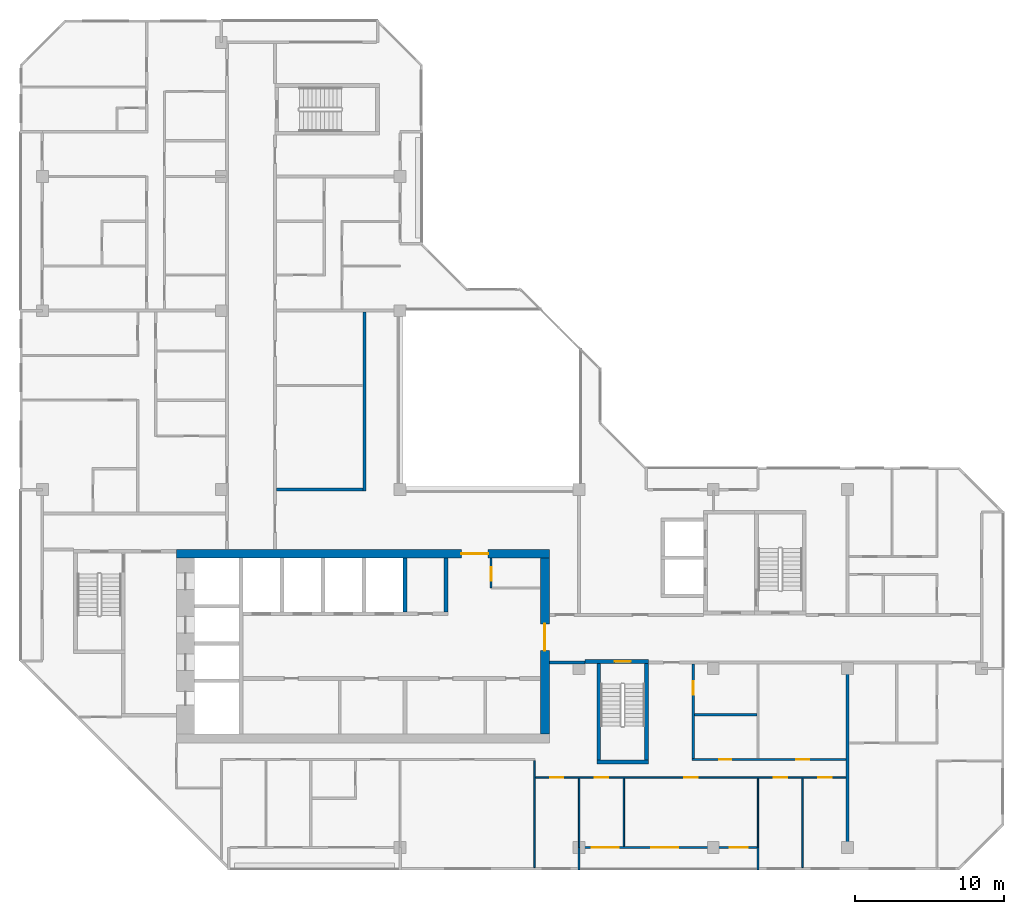
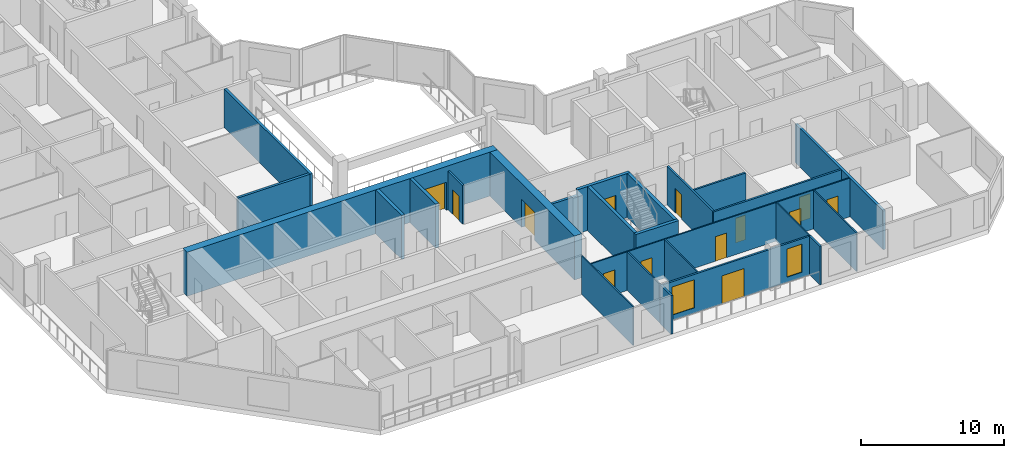
# One storey, part 6 of 13: 25 walls, 13 doors, 2 windows, 15 openings.
"""IFC4 building model written with IfcOpenShell, lengths in metres."""

from ifc_helpers import new_model, si_unit, direction, frame, frame_2d, origin, place, context, subcontext, project, spatial, rectangle, extrude, material, layer, layer_set, type_object, element, fill, save


model = new_model("IFC4")

# Units and contexts
model_context = context("Model", 3, precision=1e-05, world=origin(), true_north=direction((0.0, 1.0)))
body_context = subcontext(model_context, "Body", "Model", "MODEL_VIEW")
ifc_project = project(units=[si_unit("LENGTHUNIT", "METRE"), si_unit("AREAUNIT", "SQUARE_METRE"), si_unit("VOLUMEUNIT", "CUBIC_METRE"), si_unit("PLANEANGLEUNIT", "RADIAN"), si_unit("MASSUNIT", "GRAM", prefix="KILO")], contexts=[model_context])

# Site, building, storey
site_placement = place(None, origin())
site = spatial("IfcSite", under=ifc_project, at=site_placement, CompositionType="ELEMENT")
building_placement = place(site_placement, origin())
building = spatial("IfcBuilding", under=site, at=building_placement, Name="Chenar Terraces", CompositionType="ELEMENT")
storey_placement = place(building_placement, frame((0.0, 0.0, 318.39990234375)))
storey = spatial("IfcBuildingStorey", under=building, at=storey_placement, Name="L75", CompositionType="ELEMENT", Elevation=318.39990234375)

# Wall, opening, door
ifc_material_1 = material(Name="Gypsum board on steel studs", Category="steel")
ifc_layer_1 = layer(ifc_material_1, 0.14990234375)
ifc_layer_set_1 = layer_set([ifc_layer_1], Name="Gypsum board on steel studs")
wall_type_1 = type_object("IfcWallType", Name="Core partition 150 gypsum board", PredefinedType="PARTITIONING", material=ifc_layer_set_1)
wall_1_placement = place(storey_placement, frame((30.10009765625, 17.39990234375, 0.0), z_axis=(0.0, 0.0, 1.0), x_axis=(0.0, 1.0, 0.0)))
wall_1 = element("IfcWall", 1, at=wall_1_placement, inside=storey, type_object=wall_type_1, Name="Core partition CP1 vestibule room west wall", PredefinedType="PARTITIONING", context=body_context, shape_type="SweptSolid", body=[
    extrude(rectangle(XDim=2.0, YDim=0.14990234375, at=frame_2d((1.0, 0.0))), origin(), (0.0, 0.0, 1.0), 3.300048828125),
])
opening_1_placement = place(wall_1_placement, frame((0.5, 0.0, 0.0)))
opening_1 = element("IfcOpeningElement", 2, at=opening_1_placement, cuts=wall_1, Name="Opening DL75-C17", PredefinedType="OPENING", context=body_context, shape_type="SweptSolid", body=[
    extrude(rectangle(XDim=0.89990234375, YDim=2.10009765625, at=frame_2d((0.449951171875, 1.050048828125))), frame((0.0, 0.0849609375, 0.0), z_axis=(0.0, -1.0, 0.0), x_axis=(1.0, 0.0, 0.0)), (0.0, 0.0, 1.0), 0.169921875),
])
ifc_material_2 = material(Name="Steel-framed fire-resisting door leaf", Category="steel")
door_type_1 = type_object("IfcDoorType", Name="Riser fire door FD60 900 x 2100", OperationType="SINGLE_SWING_LEFT", PredefinedType="DOOR", material=ifc_material_2)
door_1_placement = place(opening_1_placement, frame((0.89990234375, 0.0, 0.0), z_axis=(0.0, 0.0, 1.0), x_axis=(-1.0, 0.0, 0.0)))
door_1 = element("IfcDoor", 3, at=door_1_placement, inside=storey, type_object=door_type_1, Name="Core room door DL75-C17", OperationType="SINGLE_SWING_RIGHT", OverallHeight=2.10009765625, OverallWidth=0.89990234375, PredefinedType="DOOR", context=body_context, shape_type="SweptSolid", body=[
    extrude(rectangle(XDim=0.89990234375, YDim=2.10009765625, at=frame_2d((0.449951171875, 1.050048828125))), frame((0.0, 0.02490234375, 0.0), z_axis=(0.0, -1.0, 0.0), x_axis=(1.0, 0.0, 0.0)), (0.0, 0.0, 1.0), 0.050048828125),
])
fill(opening_1, door_1)

# Walls
ifc_material_3 = material(Name="Concrete C50/60", Category="concrete")
ifc_layer_2 = layer(ifc_material_3, 0.25)
ifc_layer_set_2 = layer_set([ifc_layer_2], Name="Concrete C50/60")
wall_type_2 = type_object("IfcWallType", Name="Core wall 250 Concrete C50/60", PredefinedType="SHEAR", material=ifc_layer_set_2)
for number, where, z_axis, x_axis, name in (
    (4, (24.324951171875, 15.800048828125, 0.0), (0.0, 0.0, 1.0), (0.0, 1.0, 0.0), "Core wall NS3 L75"),
    (5, (27.074951171875, 15.800048828125, 0.0), (0.0, 0.0, 1.0), (0.0, 1.0, 0.0), "Core wall NE L75"),
):
    element("IfcWall", number, at=place(storey_placement, frame(where, z_axis=z_axis, x_axis=x_axis)), inside=storey, type_object=wall_type_2, Name=name, PredefinedType="SHEAR", context=body_context, shape_type="SweptSolid", body=[
        extrude(rectangle(XDim=3.599853515625, YDim=0.25, at=frame_2d((1.7998046875, 0.0))), origin(), (0.0, 0.0, 1.0), 3.75),
    ])
wall_2_placement = place(storey_placement, frame((37.199951171875, 5.72509765625, 0.0), z_axis=(0.0, 0.0, 1.0), x_axis=(1.0, 0.0, 0.0)))
element("IfcWall", 6, at=wall_2_placement, inside=storey, type_object=wall_type_2, Name="Core wall ST2_S L75", PredefinedType="SHEAR", context=body_context, shape_type="SweptSolid", body=[
    extrude(rectangle(XDim=3.449951171875, YDim=0.25, at=frame_2d((1.72509765625, 0.0))), origin(), (0.0, 0.0, 1.0), 3.75),
])

# Wall, opening, door
wall_3_placement = place(storey_placement, frame((36.39990234375, 12.47509765625, 0.0), z_axis=(0.0, 0.0, 1.0), x_axis=(1.0, 0.0, 0.0)))
wall_3 = element("IfcWall", 7, at=wall_3_placement, inside=storey, type_object=wall_type_2, Name="Core wall ST2_N L75", PredefinedType="SHEAR", context=body_context, shape_type="SweptSolid", body=[
    extrude(rectangle(XDim=4.25, YDim=0.25, at=frame_2d((2.125, 0.0))), origin(), (0.0, 0.0, 1.0), 3.75),
])
opening_2_placement = place(wall_3_placement, frame((1.97509765625, 0.0, 0.0)))
opening_2 = element("IfcOpeningElement", 8, at=opening_2_placement, cuts=wall_3, Name="Opening DL75-C7", PredefinedType="OPENING", context=body_context, shape_type="SweptSolid", body=[
    extrude(rectangle(XDim=1.10009765625, YDim=2.199951171875, at=frame_2d((0.550048828125, 1.10009765625))), frame((0.0, 0.135009765625, 0.0), z_axis=(0.0, -1.0, 0.0), x_axis=(1.0, 0.0, 0.0)), (0.0, 0.0, 1.0), 0.27001953125),
])
ifc_material_4 = material(Name="Steel-framed fire-resisting door leaf", Category="steel")
door_type_2 = type_object("IfcDoorType", Name="Stair fire door FD60 1100 x 2200", OperationType="SINGLE_SWING_LEFT", PredefinedType="DOOR", material=ifc_material_4)
door_2_placement = place(opening_2_placement, frame((1.10009765625, 0.0, 0.0), z_axis=(0.0, 0.0, 1.0), x_axis=(-1.0, 0.0, 0.0)))
door_2 = element("IfcDoor", 9, at=door_2_placement, inside=storey, type_object=door_type_2, Name="Stair door DL75-C7", OperationType="SINGLE_SWING_LEFT", OverallHeight=2.199951171875, OverallWidth=1.10009765625, PredefinedType="DOOR", context=body_context, shape_type="SweptSolid", body=[
    extrude(rectangle(XDim=1.10009765625, YDim=2.199951171875, at=frame_2d((0.550048828125, 1.10009765625))), frame((0.0, 0.02490234375, 0.0), z_axis=(0.0, -1.0, 0.0), x_axis=(1.0, 0.0, 0.0)), (0.0, 0.0, 1.0), 0.050048828125),
])
fill(opening_2, door_2)

# Walls
for number, where, z_axis, x_axis, name in (
    (10, (37.324951171875, 5.85009765625, 0.0), (0.0, 0.0, 1.0), (0.0, 1.0, 0.0), "Core wall ST2_W L75"),
    (11, (40.52490234375, 5.85009765625, 0.0), (0.0, 0.0, 1.0), (0.0, 1.0, 0.0), "Core wall ST2_E L75"),
):
    element("IfcWall", number, at=place(storey_placement, frame(where, z_axis=z_axis, x_axis=x_axis)), inside=storey, type_object=wall_type_2, Name=name, PredefinedType="SHEAR", context=body_context, shape_type="SweptSolid", body=[
        extrude(rectangle(XDim=6.5, YDim=0.25, at=frame_2d((3.25, 0.0))), origin(), (0.0, 0.0, 1.0), 3.75),
    ])

# Wall, opening, door
ifc_material_5 = material(Name="Concrete C50/60", Category="concrete")
ifc_layer_3 = layer(ifc_material_5, 0.60009765625)
ifc_layer_set_3 = layer_set([ifc_layer_3], Name="Concrete C50/60")
wall_type_3 = type_object("IfcWallType", Name="Core wall 600 Concrete C50/60", PredefinedType="SHEAR", material=ifc_layer_set_3)
wall_4_placement = place(storey_placement, frame((9.0, 19.699951171875, 0.0), z_axis=(0.0, 0.0, 1.0), x_axis=(1.0, 0.0, 0.0)))
wall_4 = element("IfcWall", 12, at=wall_4_placement, inside=storey, type_object=wall_type_3, Name="Core wall N L75", PredefinedType="SHEAR", context=body_context, shape_type="SweptSolid", body=[
    extrude(rectangle(XDim=25.0, YDim=0.60009765625, at=frame_2d((12.5, 0.0))), origin(), (0.0, 0.0, 1.0), 3.75),
])
opening_3_placement = place(wall_4_placement, frame((19.10009765625, 0.0, 0.0)))
opening_3 = element("IfcOpeningElement", 13, at=opening_3_placement, cuts=wall_4, Name="Opening DL75-C2", PredefinedType="OPENING", context=body_context, shape_type="SweptSolid", body=[
    extrude(rectangle(XDim=1.800048828125, YDim=2.39990234375, at=frame_2d((0.89990234375, 1.199951171875))), frame((0.0, 0.31005859375, 0.0), z_axis=(0.0, -1.0, 0.0), x_axis=(1.0, 0.0, 0.0)), (0.0, 0.0, 1.0), 0.6201171875),
])
ifc_material_6 = material(Name="Steel-framed fire-resisting door leaf", Category="steel")
door_type_3 = type_object("IfcDoorType", Name="Core entrance double fire door FD60 1800 x 2400", OperationType="DOUBLE_DOOR_SINGLE_SWING", PredefinedType="DOOR", material=ifc_material_6)
door_3_placement = place(opening_3_placement, frame((1.800048828125, 0.0, 0.0), z_axis=(0.0, 0.0, 1.0), x_axis=(-1.0, 0.0, 0.0)))
door_3 = element("IfcDoor", 14, at=door_3_placement, inside=storey, type_object=door_type_3, Name="Core door DL75-C2", OperationType="DOUBLE_DOOR_SINGLE_SWING", OverallHeight=2.39990234375, OverallWidth=1.800048828125, PredefinedType="DOOR", context=body_context, shape_type="SweptSolid", body=[
    extrude(rectangle(XDim=1.800048828125, YDim=2.39990234375, at=frame_2d((0.89990234375, 1.199951171875))), frame((0.0, 0.02490234375, 0.0), z_axis=(0.0, -1.0, 0.0), x_axis=(1.0, 0.0, 0.0)), (0.0, 0.0, 1.0), 0.050048828125),
])
fill(opening_3, door_3)

wall_5_placement = place(storey_placement, frame((33.699951171875, 7.60009765625, 0.0), z_axis=(0.0, 0.0, 1.0), x_axis=(0.0, 1.0, 0.0)))
wall_5 = element("IfcWall", 15, at=wall_5_placement, inside=storey, type_object=wall_type_3, Name="Core wall E L75", PredefinedType="SHEAR", context=body_context, shape_type="SweptSolid", body=[
    extrude(rectangle(XDim=11.7998046875, YDim=0.60009765625, at=frame_2d((5.89990234375, 0.0))), origin(), (0.0, 0.0, 1.0), 3.75),
])
opening_4_placement = place(wall_5_placement, frame((5.60009765625, 0.0, 0.0)))
opening_4 = element("IfcOpeningElement", 16, at=opening_4_placement, cuts=wall_5, Name="Opening DL75-C1", PredefinedType="OPENING", context=body_context, shape_type="SweptSolid", body=[
    extrude(rectangle(XDim=1.800048828125, YDim=2.39990234375, at=frame_2d((0.89990234375, 1.199951171875))), frame((0.0, 0.31005859375, 0.0), z_axis=(0.0, -1.0, 0.0), x_axis=(1.0, 0.0, 0.0)), (0.0, 0.0, 1.0), 0.6201171875),
])
door_4_placement = place(opening_4_placement, origin())
door_4 = element("IfcDoor", 17, at=door_4_placement, inside=storey, type_object=door_type_3, Name="Core door DL75-C1", OperationType="DOUBLE_DOOR_SINGLE_SWING", OverallHeight=2.39990234375, OverallWidth=1.800048828125, PredefinedType="DOOR", context=body_context, shape_type="SweptSolid", body=[
    extrude(rectangle(XDim=1.800048828125, YDim=2.39990234375, at=frame_2d((0.89990234375, 1.199951171875))), frame((0.0, 0.02490234375, 0.0), z_axis=(0.0, -1.0, 0.0), x_axis=(1.0, 0.0, 0.0)), (0.0, 0.0, 1.0), 0.050048828125),
])
fill(opening_4, door_4)

# Walls
ifc_material_7 = material(Name="Gypsum board on steel studs with fire boards", Category="steel")
ifc_layer_4 = layer(ifc_material_7, 0.199951171875)
ifc_layer_set_4 = layer_set([ifc_layer_4], Name="Gypsum board on steel studs with fire boards")
wall_type_4 = type_object("IfcWallType", Name="Corridor wall 200", PredefinedType="PARTITIONING", material=ifc_layer_set_4)
wall_6_placement = place(storey_placement, frame((15.699951171875, 24.0, 0.0), z_axis=(0.0, 0.0, 1.0), x_axis=(1.0, 0.0, 0.0)))
element("IfcWall", 18, at=wall_6_placement, inside=storey, type_object=wall_type_4, Name="Partition L75-038", PredefinedType="PARTITIONING", context=body_context, shape_type="SweptSolid", body=[
    extrude(rectangle(XDim=5.800048828125, YDim=0.199951171875, at=frame_2d((2.89990234375, 0.0))), origin(), (0.0, 0.0, 1.0), 3.300048828125),
])
wall_7_placement = place(storey_placement, frame((21.60009765625, 23.89990234375, 0.0), z_axis=(0.0, 0.0, 1.0), x_axis=(0.0, 1.0, 0.0)))
element("IfcWall", 19, at=wall_7_placement, inside=storey, type_object=wall_type_4, Name="Partition L75-051", PredefinedType="PARTITIONING", context=body_context, shape_type="SweptSolid", body=[
    extrude(rectangle(XDim=12.0, YDim=0.199951171875, at=frame_2d((6.0, 0.0))), origin(), (0.0, 0.0, 1.0), 3.300048828125),
])
wall_8_placement = place(storey_placement, frame((34.0, 12.39990234375, 0.0), z_axis=(0.0, 0.0, 1.0), x_axis=(1.0, 0.0, 0.0)))
element("IfcWall", 20, at=wall_8_placement, inside=storey, type_object=wall_type_4, Name="Partition L75-055", PredefinedType="PARTITIONING", context=body_context, shape_type="SweptSolid", body=[
    extrude(rectangle(XDim=2.40087890625, YDim=0.199951171875, at=frame_2d((1.200439453125, 0.0))), origin(), (0.0, 0.0, 1.0), 3.300048828125),
])

# Wall, openings, windows, door
ifc_material_8 = material(Name="Aluminium framed glazing", Category="aluminium")
ifc_layer_5 = layer(ifc_material_8, 0.14990234375)
ifc_layer_set_5 = layer_set([ifc_layer_5], Name="Aluminium framed glazing")
wall_type_5 = type_object("IfcWallType", Name="Glazed loggia back wall 150", PredefinedType="SOLIDWALL", material=ifc_layer_set_5)
wall_9_placement = place(storey_placement, frame((36.074951171875, 0.0, 0.0), z_axis=(0.0, 0.0, 1.0), x_axis=(1.0, 0.0, 0.0)))
wall_9 = element("IfcWall", 21, at=wall_9_placement, inside=storey, type_object=wall_type_5, Name="Glazed loggia back wall", PredefinedType="SOLIDWALL", context=body_context, shape_type="SweptSolid", body=[
    extrude(rectangle(XDim=11.85009765625, YDim=0.14990234375, at=frame_2d((5.925048828125, 0.0))), origin(), (0.0, 0.0, 1.0), 3.300048828125),
])
opening_5_placement = place(wall_9_placement, frame((0.77490234375, 0.0, 0.449951171875)))
opening_5 = element("IfcOpeningElement", 22, at=opening_5_placement, cuts=wall_9, Name="Opening W180x240", PredefinedType="OPENING", context=body_context, shape_type="SweptSolid", body=[
    extrude(rectangle(XDim=1.800048828125, YDim=2.39990234375, at=frame_2d((0.89990234375, 1.199951171875))), frame((0.0, 0.0849609375, 0.0), z_axis=(0.0, -1.0, 0.0), x_axis=(1.0, 0.0, 0.0)), (0.0, 0.0, 1.0), 0.169921875),
])
opening_6_placement = place(wall_9_placement, frame((4.77490234375, 0.0, 0.0)))
opening_6 = element("IfcOpeningElement", 23, at=opening_6_placement, cuts=wall_9, Name="Opening DL75-G5", PredefinedType="OPENING", context=body_context, shape_type="SweptSolid", body=[
    extrude(rectangle(XDim=1.800048828125, YDim=2.39990234375, at=frame_2d((0.89990234375, 1.199951171875))), frame((0.0, 0.0849609375, 0.0), z_axis=(0.0, -1.0, 0.0), x_axis=(1.0, 0.0, 0.0)), (0.0, 0.0, 1.0), 0.169921875),
])
opening_7_placement = place(wall_9_placement, frame((10.03759765625, 0.0, 0.449951171875)))
opening_7 = element("IfcOpeningElement", 24, at=opening_7_placement, cuts=wall_9, Name="Opening W120x240", PredefinedType="OPENING", context=body_context, shape_type="SweptSolid", body=[
    extrude(rectangle(XDim=1.199951171875, YDim=2.39990234375, at=frame_2d((0.60009765625, 1.199951171875))), frame((0.0, 0.0849609375, 0.0), z_axis=(0.0, -1.0, 0.0), x_axis=(1.0, 0.0, 0.0)), (0.0, 0.0, 1.0), 0.169921875),
])
ifc_material_9 = material(Name="Low emissivity double glazing, aluminium frame", Category="aluminium")
window_type_1 = type_object("IfcWindowType", Name="Fixed light 1200 x 2400", PartitioningType="SINGLE_PANEL", PredefinedType="WINDOW", material=ifc_material_9)
window_1_placement = place(opening_7_placement, origin())
window_1 = element("IfcWindow", 25, at=window_1_placement, inside=storey, type_object=window_type_1, Name="Window", OverallHeight=2.39990234375, OverallWidth=1.199951171875, PartitioningType="SINGLE_PANEL", PredefinedType="WINDOW", context=body_context, shape_type="SweptSolid", body=[
    extrude(rectangle(XDim=1.199951171875, YDim=2.39990234375, at=frame_2d((0.60009765625, 1.199951171875))), frame((0.0, 0.030029296875, 0.0), z_axis=(0.0, -1.0, 0.0), x_axis=(1.0, 0.0, 0.0)), (0.0, 0.0, 1.0), 0.06005859375),
])
fill(opening_7, window_1)
ifc_material_10 = material(Name="Low emissivity double glazing, aluminium frame", Category="aluminium")
window_type_2 = type_object("IfcWindowType", Name="Fixed light 1800 x 2400", PartitioningType="SINGLE_PANEL", PredefinedType="WINDOW", material=ifc_material_10)
window_2_placement = place(opening_5_placement, origin())
window_2 = element("IfcWindow", 26, at=window_2_placement, inside=storey, type_object=window_type_2, Name="Window", OverallHeight=2.39990234375, OverallWidth=1.800048828125, PartitioningType="SINGLE_PANEL", PredefinedType="WINDOW", context=body_context, shape_type="SweptSolid", body=[
    extrude(rectangle(XDim=1.800048828125, YDim=2.39990234375, at=frame_2d((0.89990234375, 1.199951171875))), frame((0.0, 0.030029296875, 0.0), z_axis=(0.0, -1.0, 0.0), x_axis=(1.0, 0.0, 0.0)), (0.0, 0.0, 1.0), 0.06005859375),
])
fill(opening_5, window_2)
ifc_material_11 = material(Name="Low emissivity double glazing, aluminium frame", Category="aluminium")
door_type_4 = type_object("IfcDoorType", Name="Loggia glazed double door 1800 x 2400", OperationType="DOUBLE_DOOR_SINGLE_SWING", PredefinedType="DOOR", material=ifc_material_11)
door_5_placement = place(opening_6_placement, frame((1.800048828125, 0.0, 0.0), z_axis=(0.0, 0.0, 1.0), x_axis=(-1.0, 0.0, 0.0)))
door_5 = element("IfcDoor", 27, at=door_5_placement, inside=storey, type_object=door_type_4, Name="Loggia glazed door", OperationType="DOUBLE_DOOR_SINGLE_SWING", OverallHeight=2.39990234375, OverallWidth=1.800048828125, PredefinedType="DOOR", context=body_context, shape_type="SweptSolid", body=[
    extrude(rectangle(XDim=1.800048828125, YDim=2.39990234375, at=frame_2d((0.89990234375, 1.199951171875))), frame((0.0, 0.02490234375, 0.0), z_axis=(0.0, -1.0, 0.0), x_axis=(1.0, 0.0, 0.0)), (0.0, 0.0, 1.0), 0.050048828125),
])
fill(opening_6, door_5)

# Wall
ifc_material_12 = material(Name="Gypsum board on steel studs", Category="steel")
ifc_layer_6 = layer(ifc_material_12, 0.10009765625)
ifc_layer_set_6 = layer_set([ifc_layer_6], Name="Gypsum board on steel studs")
wall_type_6 = type_object("IfcWallType", Name="Gypsum partition 100", PredefinedType="PARTITIONING", material=ifc_layer_set_6)
wall_10_placement = place(storey_placement, frame((33.0, -1.35009765625, 0.0), z_axis=(0.0, 0.0, 1.0), x_axis=(0.0, 1.0, 0.0)))
element("IfcWall", 28, at=wall_10_placement, inside=storey, type_object=wall_type_6, Name="Partition L75-053", PredefinedType="PARTITIONING", context=body_context, shape_type="SweptSolid", body=[
    extrude(rectangle(XDim=7.175048828125, YDim=0.10009765625, at=frame_2d((3.58740234375, 0.0))), origin(), (0.0, 0.0, 1.0), 3.300048828125),
])

# Wall, openings, doors
wall_11_placement = place(storey_placement, frame((33.050048828125, 4.699951171875, 0.0), z_axis=(0.0, 0.0, 1.0), x_axis=(1.0, 0.0, 0.0)))
wall_11 = element("IfcWall", 29, at=wall_11_placement, inside=storey, type_object=wall_type_6, Name="Partition L75-054", PredefinedType="PARTITIONING", context=body_context, shape_type="SweptSolid", body=[
    extrude(rectangle(XDim=20.849853515625, YDim=0.10009765625, at=frame_2d((10.4248046875, 0.0))), origin(), (0.0, 0.0, 1.0), 3.300048828125),
])
opening_8_placement = place(wall_11_placement, frame((1.0, 0.0, 0.0)))
opening_8 = element("IfcOpeningElement", 30, at=opening_8_placement, cuts=wall_11, Name="Opening DL75-37", PredefinedType="OPENING", context=body_context, shape_type="SweptSolid", body=[
    extrude(rectangle(XDim=0.89990234375, YDim=2.10009765625, at=frame_2d((0.449951171875, 1.050048828125))), frame((0.0, 0.06005859375, 0.0), z_axis=(0.0, -1.0, 0.0), x_axis=(1.0, 0.0, 0.0)), (0.0, 0.0, 1.0), 0.1201171875),
])
opening_9_placement = place(wall_11_placement, frame((4.0, 0.0, 0.0)))
opening_9 = element("IfcOpeningElement", 31, at=opening_9_placement, cuts=wall_11, Name="Opening DL75-38", PredefinedType="OPENING", context=body_context, shape_type="SweptSolid", body=[
    extrude(rectangle(XDim=0.89990234375, YDim=2.10009765625, at=frame_2d((0.449951171875, 1.050048828125))), frame((0.0, 0.06005859375, 0.0), z_axis=(0.0, -1.0, 0.0), x_axis=(1.0, 0.0, 0.0)), (0.0, 0.0, 1.0), 0.1201171875),
])
opening_10_placement = place(wall_11_placement, frame((16.0, 0.0, 0.0)))
opening_10 = element("IfcOpeningElement", 32, at=opening_10_placement, cuts=wall_11, Name="Opening DL75-39", PredefinedType="OPENING", context=body_context, shape_type="SweptSolid", body=[
    extrude(rectangle(XDim=0.89990234375, YDim=2.10009765625, at=frame_2d((0.449951171875, 1.050048828125))), frame((0.0, 0.06005859375, 0.0), z_axis=(0.0, -1.0, 0.0), x_axis=(1.0, 0.0, 0.0)), (0.0, 0.0, 1.0), 0.1201171875),
])
opening_11_placement = place(wall_11_placement, frame((19.0, 0.0, 0.0)))
opening_11 = element("IfcOpeningElement", 33, at=opening_11_placement, cuts=wall_11, Name="Opening DL75-40", PredefinedType="OPENING", context=body_context, shape_type="SweptSolid", body=[
    extrude(rectangle(XDim=0.89990234375, YDim=2.10009765625, at=frame_2d((0.449951171875, 1.050048828125))), frame((0.0, 0.06005859375, 0.0), z_axis=(0.0, -1.0, 0.0), x_axis=(1.0, 0.0, 0.0)), (0.0, 0.0, 1.0), 0.1201171875),
])
opening_12_placement = place(wall_11_placement, frame((10.0, 0.0, 0.0)))
opening_12 = element("IfcOpeningElement", 34, at=opening_12_placement, cuts=wall_11, Name="Opening DL75-48", PredefinedType="OPENING", context=body_context, shape_type="SweptSolid", body=[
    extrude(rectangle(XDim=0.89990234375, YDim=2.10009765625, at=frame_2d((0.449951171875, 1.050048828125))), frame((0.0, 0.06005859375, 0.0), z_axis=(0.0, -1.0, 0.0), x_axis=(1.0, 0.0, 0.0)), (0.0, 0.0, 1.0), 0.1201171875),
])
ifc_material_13 = material(Name="Veneered timber door leaf", Category="wood")
door_type_5 = type_object("IfcDoorType", Name="Door 900 x 2100", OperationType="SINGLE_SWING_LEFT", PredefinedType="DOOR", material=ifc_material_13)
door_6_placement = place(opening_8_placement, frame((0.89990234375, 0.0, 0.0), z_axis=(0.0, 0.0, 1.0), x_axis=(-1.0, 0.0, 0.0)))
door_6 = element("IfcDoor", 35, at=door_6_placement, inside=storey, type_object=door_type_5, Name="Door DL75-37", OperationType="SINGLE_SWING_LEFT", OverallHeight=2.10009765625, OverallWidth=0.89990234375, PredefinedType="DOOR", context=body_context, shape_type="SweptSolid", body=[
    extrude(rectangle(XDim=0.89990234375, YDim=2.10009765625, at=frame_2d((0.449951171875, 1.050048828125))), frame((0.0, 0.02490234375, 0.0), z_axis=(0.0, -1.0, 0.0), x_axis=(1.0, 0.0, 0.0)), (0.0, 0.0, 1.0), 0.050048828125),
])
fill(opening_8, door_6)
door_7_placement = place(opening_9_placement, frame((0.89990234375, 0.0, 0.0), z_axis=(0.0, 0.0, 1.0), x_axis=(-1.0, 0.0, 0.0)))
door_7 = element("IfcDoor", 36, at=door_7_placement, inside=storey, type_object=door_type_5, Name="Door DL75-38", OperationType="SINGLE_SWING_LEFT", OverallHeight=2.10009765625, OverallWidth=0.89990234375, PredefinedType="DOOR", context=body_context, shape_type="SweptSolid", body=[
    extrude(rectangle(XDim=0.89990234375, YDim=2.10009765625, at=frame_2d((0.449951171875, 1.050048828125))), frame((0.0, 0.02490234375, 0.0), z_axis=(0.0, -1.0, 0.0), x_axis=(1.0, 0.0, 0.0)), (0.0, 0.0, 1.0), 0.050048828125),
])
fill(opening_9, door_7)
door_8_placement = place(opening_10_placement, frame((0.89990234375, 0.0, 0.0), z_axis=(0.0, 0.0, 1.0), x_axis=(-1.0, 0.0, 0.0)))
door_8 = element("IfcDoor", 37, at=door_8_placement, inside=storey, type_object=door_type_5, Name="Door DL75-39", OperationType="SINGLE_SWING_LEFT", OverallHeight=2.10009765625, OverallWidth=0.89990234375, PredefinedType="DOOR", context=body_context, shape_type="SweptSolid", body=[
    extrude(rectangle(XDim=0.89990234375, YDim=2.10009765625, at=frame_2d((0.449951171875, 1.050048828125))), frame((0.0, 0.02490234375, 0.0), z_axis=(0.0, -1.0, 0.0), x_axis=(1.0, 0.0, 0.0)), (0.0, 0.0, 1.0), 0.050048828125),
])
fill(opening_10, door_8)
door_9_placement = place(opening_11_placement, frame((0.89990234375, 0.0, 0.0), z_axis=(0.0, 0.0, 1.0), x_axis=(-1.0, 0.0, 0.0)))
door_9 = element("IfcDoor", 38, at=door_9_placement, inside=storey, type_object=door_type_5, Name="Door DL75-40", OperationType="SINGLE_SWING_LEFT", OverallHeight=2.10009765625, OverallWidth=0.89990234375, PredefinedType="DOOR", context=body_context, shape_type="SweptSolid", body=[
    extrude(rectangle(XDim=0.89990234375, YDim=2.10009765625, at=frame_2d((0.449951171875, 1.050048828125))), frame((0.0, 0.02490234375, 0.0), z_axis=(0.0, -1.0, 0.0), x_axis=(1.0, 0.0, 0.0)), (0.0, 0.0, 1.0), 0.050048828125),
])
fill(opening_11, door_9)
door_10_placement = place(opening_12_placement, frame((0.89990234375, 0.0, 0.0), z_axis=(0.0, 0.0, 1.0), x_axis=(-1.0, 0.0, 0.0)))
door_10 = element("IfcDoor", 39, at=door_10_placement, inside=storey, type_object=door_type_5, Name="Door DL75-48", OperationType="SINGLE_SWING_LEFT", OverallHeight=2.10009765625, OverallWidth=0.89990234375, PredefinedType="DOOR", context=body_context, shape_type="SweptSolid", body=[
    extrude(rectangle(XDim=0.89990234375, YDim=2.10009765625, at=frame_2d((0.449951171875, 1.050048828125))), frame((0.0, 0.02490234375, 0.0), z_axis=(0.0, -1.0, 0.0), x_axis=(1.0, 0.0, 0.0)), (0.0, 0.0, 1.0), 0.050048828125),
])
fill(opening_12, door_10)

# Walls
wall_12_placement = place(storey_placement, frame((36.0, 0.0, 0.0), z_axis=(0.0, 0.0, 1.0), x_axis=(0.0, 1.0, 0.0)))
element("IfcWall", 40, at=wall_12_placement, inside=storey, type_object=wall_type_6, Name="Partition L75-057", PredefinedType="PARTITIONING", context=body_context, shape_type="SweptSolid", body=[
    extrude(rectangle(XDim=4.64990234375, YDim=0.10009765625, at=frame_2d((2.324951171875, 0.0))), origin(), (0.0, 0.0, 1.0), 3.300048828125),
])
wall_13_placement = place(storey_placement, frame((39.0, 0.073974609375, 0.0), z_axis=(0.0, 0.0, 1.0), x_axis=(0.0, 1.0, 0.0)))
element("IfcWall", 41, at=wall_13_placement, inside=storey, type_object=wall_type_6, Name="Partition L75-059", PredefinedType="PARTITIONING", context=body_context, shape_type="SweptSolid", body=[
    extrude(rectangle(XDim=4.575927734375, YDim=0.10009765625, at=frame_2d((2.2880859375, 0.0))), origin(), (0.0, 0.0, 1.0), 3.300048828125),
])
wall_14_placement = place(storey_placement, frame((48.0, 0.0, 0.0), z_axis=(0.0, 0.0, 1.0), x_axis=(0.0, 1.0, 0.0)))
element("IfcWall", 42, at=wall_14_placement, inside=storey, type_object=wall_type_6, Name="Partition L75-065", PredefinedType="PARTITIONING", context=body_context, shape_type="SweptSolid", body=[
    extrude(rectangle(XDim=4.64990234375, YDim=0.10009765625, at=frame_2d((2.324951171875, 0.0))), origin(), (0.0, 0.0, 1.0), 3.300048828125),
])
wall_15_placement = place(storey_placement, frame((51.0, -1.35107421875, 0.0), z_axis=(0.0, 0.0, 1.0), x_axis=(0.0, 1.0, 0.0)))
element("IfcWall", 43, at=wall_15_placement, inside=storey, type_object=wall_type_6, Name="Partition L75-067", PredefinedType="PARTITIONING", context=body_context, shape_type="SweptSolid", body=[
    extrude(rectangle(XDim=6.0009765625, YDim=0.10009765625, at=frame_2d((3.00048828125, 0.0))), origin(), (0.0, 0.0, 1.0), 3.300048828125),
])
ifc_material_14 = material(Name="Terracotta cladding on insulated backing", Category="masonry")
ifc_layer_7 = layer(ifc_material_14, 0.14990234375)
ifc_layer_set_7 = layer_set([ifc_layer_7], Name="Terracotta cladding on insulated backing")
wall_type_7 = type_object("IfcWallType", Name="Loggia return wall 150", PredefinedType="SOLIDWALL", material=ifc_layer_set_7)
for number, where, z_axis, x_axis, name in (
    (44, (36.0, -1.5, 0.0), (0.0, 0.0, 1.0), (0.0, 1.0, 0.0), "Loggia return wall"),
    (45, (48.0, -1.5, 0.0), (0.0, 0.0, 1.0), (0.0, 1.0, 0.0), "Loggia return wall"),
):
    element("IfcWall", number, at=place(storey_placement, frame(where, z_axis=z_axis, x_axis=x_axis)), inside=storey, type_object=wall_type_7, Name=name, PredefinedType="SOLIDWALL", context=body_context, shape_type="SweptSolid", body=[
        extrude(rectangle(XDim=1.5, YDim=0.14990234375, at=frame_2d((0.75, 0.0))), origin(), (0.0, 0.0, 1.0), 3.300048828125),
    ])
ifc_material_15 = material(Name="Twin gypsum board on steel studs with mineral wool", Category="steel")
ifc_layer_8 = layer(ifc_material_15, 0.199951171875)
ifc_layer_set_8 = layer_set([ifc_layer_8], Name="Twin gypsum board on steel studs with mineral wool")
wall_type_8 = type_object("IfcWallType", Name="Unit demising wall 200", PredefinedType="PARTITIONING", material=ifc_layer_set_8)
wall_16_placement = place(storey_placement, frame((54.0, 0.0, 0.0), z_axis=(0.0, 0.0, 1.0), x_axis=(0.0, 1.0, 0.0)))
element("IfcWall", 46, at=wall_16_placement, inside=storey, type_object=wall_type_8, Name="Partition L75-069", PredefinedType="PARTITIONING", context=body_context, shape_type="SweptSolid", body=[
    extrude(rectangle(XDim=12.300048828125, YDim=0.199951171875, at=frame_2d((6.14990234375, 0.0))), origin(), (0.0, 0.0, 1.0), 3.300048828125),
])

# Wall, openings, doors
ifc_material_16 = material(Name="Moisture-resistant gypsum board on steel studs", Category="steel")
ifc_layer_9 = layer(ifc_material_16, 0.14990234375)
ifc_layer_set_9 = layer_set([ifc_layer_9], Name="Moisture-resistant gypsum board on steel studs")
wall_type_9 = type_object("IfcWallType", Name="Wet-room partition 150", PredefinedType="PARTITIONING", material=ifc_layer_set_9)
wall_17_placement = place(storey_placement, frame((43.574951171875, 5.89990234375, 0.0), z_axis=(0.0, 0.0, 1.0), x_axis=(1.0, 0.0, 0.0)))
wall_17 = element("IfcWall", 47, at=wall_17_placement, inside=storey, type_object=wall_type_9, Name="Partition L75-061", PredefinedType="PARTITIONING", context=body_context, shape_type="SweptSolid", body=[
    extrude(rectangle(XDim=10.324951171875, YDim=0.14990234375, at=frame_2d((5.16259765625, 0.0))), origin(), (0.0, 0.0, 1.0), 3.300048828125),
])
opening_13_placement = place(wall_17_placement, frame((1.824951171875, 0.0, 0.0)))
opening_13 = element("IfcOpeningElement", 48, at=opening_13_placement, cuts=wall_17, Name="Opening DL75-34", PredefinedType="OPENING", context=body_context, shape_type="SweptSolid", body=[
    extrude(rectangle(XDim=0.800048828125, YDim=2.10009765625, at=frame_2d((0.39990234375, 1.050048828125))), frame((0.0, 0.0849609375, 0.0), z_axis=(0.0, -1.0, 0.0), x_axis=(1.0, 0.0, 0.0)), (0.0, 0.0, 1.0), 0.169921875),
])
opening_14_placement = place(wall_17_placement, frame((6.97509765625, 0.0, 0.0)))
opening_14 = element("IfcOpeningElement", 49, at=opening_14_placement, cuts=wall_17, Name="Opening DL75-49", PredefinedType="OPENING", context=body_context, shape_type="SweptSolid", body=[
    extrude(rectangle(XDim=0.89990234375, YDim=2.10009765625, at=frame_2d((0.449951171875, 1.050048828125))), frame((0.0, 0.0849609375, 0.0), z_axis=(0.0, -1.0, 0.0), x_axis=(1.0, 0.0, 0.0)), (0.0, 0.0, 1.0), 0.169921875),
])
ifc_material_17 = material(Name="Veneered timber door leaf", Category="wood")
door_type_6 = type_object("IfcDoorType", Name="Door 800 x 2100", OperationType="SINGLE_SWING_LEFT", PredefinedType="DOOR", material=ifc_material_17)
door_11_placement = place(opening_13_placement, origin())
door_11 = element("IfcDoor", 50, at=door_11_placement, inside=storey, type_object=door_type_6, Name="Door DL75-34", OperationType="SINGLE_SWING_RIGHT", OverallHeight=2.10009765625, OverallWidth=0.800048828125, PredefinedType="DOOR", context=body_context, shape_type="SweptSolid", body=[
    extrude(rectangle(XDim=0.800048828125, YDim=2.10009765625, at=frame_2d((0.39990234375, 1.050048828125))), frame((0.0, 0.02490234375, 0.0), z_axis=(0.0, -1.0, 0.0), x_axis=(1.0, 0.0, 0.0)), (0.0, 0.0, 1.0), 0.050048828125),
])
fill(opening_13, door_11)
door_12_placement = place(opening_14_placement, origin())
door_12 = element("IfcDoor", 51, at=door_12_placement, inside=storey, type_object=door_type_5, Name="Door DL75-49", OperationType="SINGLE_SWING_RIGHT", OverallHeight=2.10009765625, OverallWidth=0.89990234375, PredefinedType="DOOR", context=body_context, shape_type="SweptSolid", body=[
    extrude(rectangle(XDim=0.89990234375, YDim=2.10009765625, at=frame_2d((0.449951171875, 1.050048828125))), frame((0.0, 0.02490234375, 0.0), z_axis=(0.0, -1.0, 0.0), x_axis=(1.0, 0.0, 0.0)), (0.0, 0.0, 1.0), 0.050048828125),
])
fill(opening_14, door_12)

# Wall, opening, door
wall_18_placement = place(storey_placement, frame((43.64990234375, 5.97509765625, 0.0), z_axis=(0.0, 0.0, 1.0), x_axis=(0.0, 1.0, 0.0)))
wall_18 = element("IfcWall", 52, at=wall_18_placement, inside=storey, type_object=wall_type_9, Name="Partition L75-062", PredefinedType="PARTITIONING", context=body_context, shape_type="SweptSolid", body=[
    extrude(rectangle(XDim=6.324951171875, YDim=0.14990234375, at=frame_2d((3.16259765625, 0.0))), origin(), (0.0, 0.0, 1.0), 3.300048828125),
])
opening_15_placement = place(wall_18_placement, frame((4.27490234375, 0.0, 0.0)))
opening_15 = element("IfcOpeningElement", 53, at=opening_15_placement, cuts=wall_18, Name="Opening DL75-46", PredefinedType="OPENING", context=body_context, shape_type="SweptSolid", body=[
    extrude(rectangle(XDim=0.89990234375, YDim=2.10009765625, at=frame_2d((0.449951171875, 1.050048828125))), frame((0.0, 0.0849609375, 0.0), z_axis=(0.0, -1.0, 0.0), x_axis=(1.0, 0.0, 0.0)), (0.0, 0.0, 1.0), 0.169921875),
])
door_13_placement = place(opening_15_placement, frame((0.89990234375, 0.0, 0.0), z_axis=(0.0, 0.0, 1.0), x_axis=(-1.0, 0.0, 0.0)))
door_13 = element("IfcDoor", 54, at=door_13_placement, inside=storey, type_object=door_type_5, Name="Door DL75-46", OperationType="SINGLE_SWING_LEFT", OverallHeight=2.10009765625, OverallWidth=0.89990234375, PredefinedType="DOOR", context=body_context, shape_type="SweptSolid", body=[
    extrude(rectangle(XDim=0.89990234375, YDim=2.10009765625, at=frame_2d((0.449951171875, 1.050048828125))), frame((0.0, 0.02490234375, 0.0), z_axis=(0.0, -1.0, 0.0), x_axis=(1.0, 0.0, 0.0)), (0.0, 0.0, 1.0), 0.050048828125),
])
fill(opening_15, door_13)

# Wall
wall_19_placement = place(storey_placement, frame((43.72509765625, 8.89990234375, 0.0), z_axis=(0.0, 0.0, 1.0), x_axis=(1.0, 0.0, 0.0)))
element("IfcWall", 55, at=wall_19_placement, inside=storey, type_object=wall_type_9, Name="Partition L75-063", PredefinedType="PARTITIONING", context=body_context, shape_type="SweptSolid", body=[
    extrude(rectangle(XDim=4.199951171875, YDim=0.14990234375, at=frame_2d((2.10009765625, 0.0))), origin(), (0.0, 0.0, 1.0), 3.300048828125),
])

save(model, "model.ifc")
